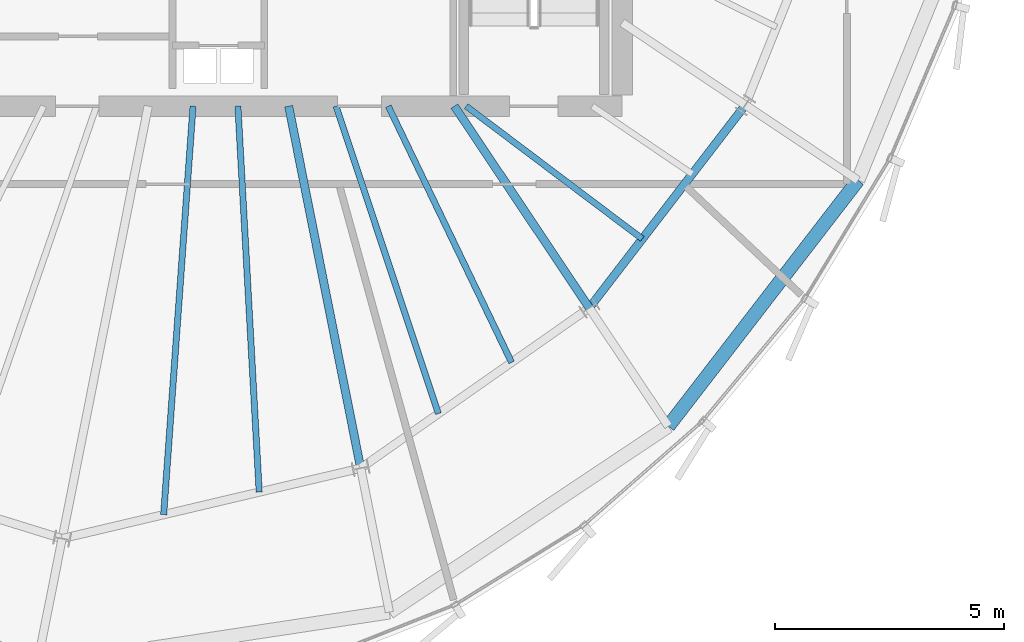
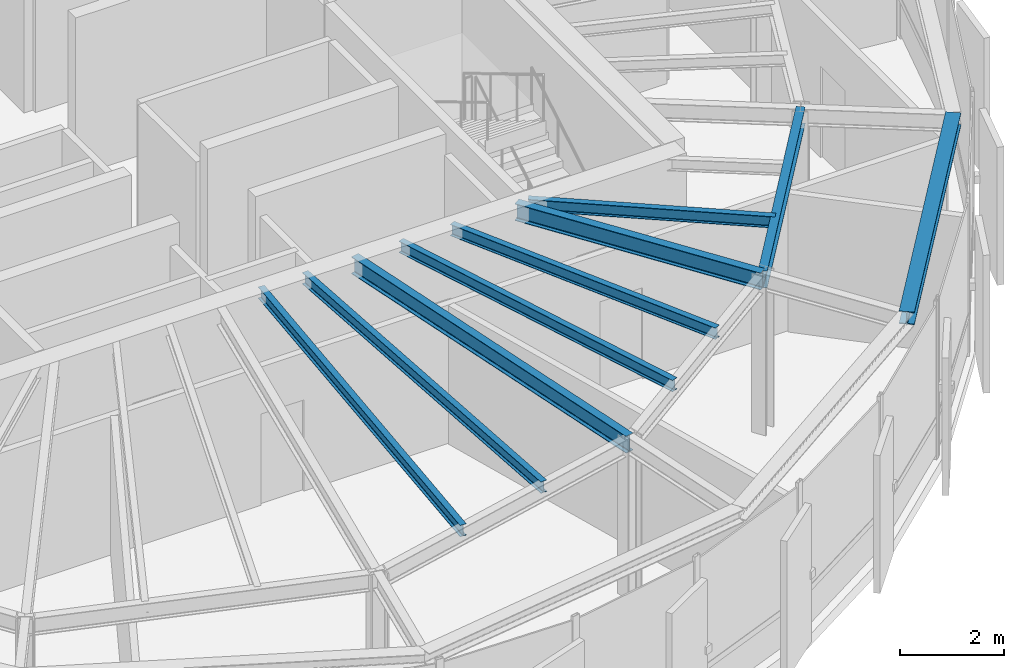
# One storey, part 8 of 26: 9 beams.
"""IFC4 building model written with IfcOpenShell, lengths in metres."""

from ifc_helpers import new_model, si_unit, direction, frame, origin, origin_2d, place, context, subcontext, project, spatial, i_section, extrude, source, transform, mapped, material, material_profile, profile_set, type_object, element, save


model = new_model("IFC4")

# Units and contexts
model_context = context("Model", 3, precision=1e-05, world=origin(), true_north=direction((0.0, 1.0)))
body_context = subcontext(model_context, "Body", "Model", "MODEL_VIEW")
ifc_project = project(units=[si_unit("LENGTHUNIT", "METRE"), si_unit("AREAUNIT", "SQUARE_METRE"), si_unit("VOLUMEUNIT", "CUBIC_METRE"), si_unit("PLANEANGLEUNIT", "RADIAN"), si_unit("MASSUNIT", "GRAM", prefix="KILO"), si_unit("THERMODYNAMICTEMPERATUREUNIT", "KELVIN")], contexts=[model_context])

# Site, building, storey
site_placement = place(None, origin())
site = spatial("IfcSite", under=ifc_project, at=site_placement, CompositionType="ELEMENT")
building_placement = place(site_placement, origin())
building = spatial("IfcBuilding", under=site, at=building_placement, Name="Kethvar Cultural Tower", CompositionType="ELEMENT")
storey_placement = place(building_placement, frame((0.0, 0.0, 320.300048828125)))
storey = spatial("IfcBuildingStorey", under=building, at=storey_placement, Name="L85", CompositionType="ELEMENT", Elevation=320.300048828125)

# Beams
ifc_material = material(Name="Steel S355J2", Category="steel")
ifc_material_profile_1 = material_profile(ifc_material, i_section(OverallWidth=0.135009765625, OverallDepth=0.27001953125, WebThickness=0.006591796875, FlangeThickness=0.01025390625, FilletRadius=0.014892578125, at=origin_2d()), Name="Steel S355J2 — IPE270")
ifc_profile_set_1 = profile_set([ifc_material_profile_1], Name="Steel S355J2 — IPE270")
beam_type_1 = type_object("IfcBeamType", Name="BM-J270", PredefinedType="JOIST", material=ifc_profile_set_1)
shared_shape_1 = source(origin(), body_context, "Body", "SweptSolid", [
    extrude(i_section(OverallWidth=0.135009765625, OverallDepth=0.27001953125, WebThickness=0.006591796875, FlangeThickness=0.01025390625, FilletRadius=0.014892578125, at=origin_2d()), origin(), (0.0, 0.0, 1.0), 8.9296875),
])
beam_1_placement = place(storey_placement, frame((46.246337890625, 20.10009765625, 3.597900390625), z_axis=(-0.071713352262, -0.99742528297, 0.0), x_axis=(0.99742528297, -0.071713352262, 0.0)))
element("IfcBeam", 1, at=beam_1_placement, inside=storey, type_object=beam_type_1, Name="L85 Composite Floor Joist J-12A", PredefinedType="JOIST", context=body_context, shape_type="MappedRepresentation", body=[
    mapped(shared_shape_1, transform((0.0, 0.0, 0.0), scale=1.0)),
])
shared_shape_2 = source(origin(), body_context, "Body", "SweptSolid", [
    extrude(i_section(OverallWidth=0.135009765625, OverallDepth=0.27001953125, WebThickness=0.006591796875, FlangeThickness=0.01025390625, FilletRadius=0.014892578125, at=origin_2d()), origin(), (0.0, 0.0, 1.0), 8.427978515625),
])
beam_2_placement = place(storey_placement, frame((47.224609375, 20.10009765625, 3.597900390625), z_axis=(0.055067321535, -0.998482643865, 0.0), x_axis=(0.998482643865, 0.055067321535, 0.0)))
element("IfcBeam", 2, at=beam_2_placement, inside=storey, type_object=beam_type_1, Name="L85 Composite Floor Joist J-12B", PredefinedType="JOIST", context=body_context, shape_type="MappedRepresentation", body=[
    mapped(shared_shape_2, transform((0.0, 0.0, 0.0), scale=1.0)),
])
shared_shape_3 = source(origin(), body_context, "Body", "SweptSolid", [
    extrude(i_section(OverallWidth=0.135009765625, OverallDepth=0.27001953125, WebThickness=0.006591796875, FlangeThickness=0.01025390625, FilletRadius=0.014892578125, at=origin_2d()), origin(), (0.0, 0.0, 1.0), 7.0673828125),
])
beam_3_placement = place(storey_placement, frame((49.363525390625, 20.10009765625, 3.597900390625), z_axis=(0.315875389768, -0.948800684095, 0.0), x_axis=(0.948800684095, 0.315875389768, 0.0)))
element("IfcBeam", 3, at=beam_3_placement, inside=storey, type_object=beam_type_1, Name="L85 Composite Floor Joist J-13A", PredefinedType="JOIST", context=body_context, shape_type="MappedRepresentation", body=[
    mapped(shared_shape_3, transform((0.0, 0.0, 0.0), scale=1.0)),
])
shared_shape_4 = source(origin(), body_context, "Body", "SweptSolid", [
    extrude(i_section(OverallWidth=0.135009765625, OverallDepth=0.27001953125, WebThickness=0.006591796875, FlangeThickness=0.01025390625, FilletRadius=0.014892578125, at=origin_2d()), origin(), (0.0, 0.0, 1.0), 6.2001953125),
])
beam_4_placement = place(storey_placement, frame((50.50341796875, 20.10009765625, 3.597900390625), z_axis=(0.433410678328, -0.901196529017, 0.0), x_axis=(0.901196529017, 0.433410678328, 0.0)))
element("IfcBeam", 4, at=beam_4_placement, inside=storey, type_object=beam_type_1, Name="L85 Composite Floor Joist J-13B", PredefinedType="JOIST", context=body_context, shape_type="MappedRepresentation", body=[
    mapped(shared_shape_4, transform((0.0, 0.0, 0.0), scale=1.0)),
])
shared_shape_5 = source(origin(), body_context, "Body", "SweptSolid", [
    extrude(i_section(OverallWidth=0.135009765625, OverallDepth=0.27001953125, WebThickness=0.006591796875, FlangeThickness=0.01025390625, FilletRadius=0.014892578125, at=origin_2d()), origin(), (0.0, 0.0, 1.0), 4.810791015625),
])
beam_5_placement = place(storey_placement, frame((52.199951171875, 20.10009765625, 3.597900390625), z_axis=(0.798542152732, -0.601938892505, 0.0), x_axis=(0.601938892505, 0.798542152732, 0.0)))
element("IfcBeam", 5, at=beam_5_placement, inside=storey, type_object=beam_type_1, Name="L85 Composite Floor Joist J-14A", PredefinedType="JOIST", context=body_context, shape_type="MappedRepresentation", body=[
    mapped(shared_shape_5, transform((0.0, 0.0, 0.0), scale=1.0)),
])
ifc_material_profile_2 = material_profile(ifc_material, i_section(OverallWidth=0.179931640625, OverallDepth=0.39990234375, WebThickness=0.008544921875, FlangeThickness=0.013427734375, FilletRadius=0.02099609375, at=origin_2d()), Name="Steel S355J2 — IPE400")
ifc_profile_set_2 = profile_set([ifc_material_profile_2], Name="Steel S355J2 — IPE400")
beam_type_2 = type_object("IfcBeamType", Name="BM-IPE400", PredefinedType="BEAM", material=ifc_profile_set_2)
shared_shape_6 = source(origin(), body_context, "Body", "SweptSolid", [
    extrude(i_section(OverallWidth=0.179931640625, OverallDepth=0.39990234375, WebThickness=0.008544921875, FlangeThickness=0.013427734375, FilletRadius=0.02099609375, at=origin_2d()), origin(), (0.0, 0.0, 1.0), 8.0478515625),
])
beam_6_placement = place(storey_placement, frame((48.33154296875, 20.10009765625, 3.532958984375), z_axis=(0.195089278796, -0.980785487912, 0.0), x_axis=(0.980785487912, 0.195089278796, 0.0)))
element("IfcBeam", 6, at=beam_6_placement, inside=storey, type_object=beam_type_2, Name="L85 Primary Radial Beam RB-13", PredefinedType="BEAM", context=body_context, shape_type="MappedRepresentation", body=[
    mapped(shared_shape_6, transform((0.0, 0.0, 0.0), scale=1.0)),
])
shared_shape_7 = source(origin(), body_context, "Body", "SweptSolid", [
    extrude(i_section(OverallWidth=0.179931640625, OverallDepth=0.39990234375, WebThickness=0.008544921875, FlangeThickness=0.013427734375, FilletRadius=0.02099609375, at=origin_2d()), origin(), (0.0, 0.0, 1.0), 5.291748046875),
])
beam_7_placement = place(storey_placement, frame((51.945068359375, 20.10009765625, 3.532958984375), z_axis=(0.555572931011, -0.831467809556, 0.0), x_axis=(0.831467809556, 0.555572931011, 0.0)))
element("IfcBeam", 7, at=beam_7_placement, inside=storey, type_object=beam_type_2, Name="L85 Primary Radial Beam RB-14", PredefinedType="BEAM", context=body_context, shape_type="MappedRepresentation", body=[
    mapped(shared_shape_7, transform((0.0, 0.0, 0.0), scale=1.0)),
])
shared_shape_8 = source(origin(), body_context, "Body", "SweptSolid", [
    extrude(i_section(OverallWidth=0.179931640625, OverallDepth=0.39990234375, WebThickness=0.008544921875, FlangeThickness=0.013427734375, FilletRadius=0.02099609375, at=origin_2d()), origin(), (0.0, 0.0, 1.0), 5.5810546875),
])
beam_8_placement = place(storey_placement, frame((54.885009765625, 15.7001953125, 3.532958984375), z_axis=(0.60957334008, 0.79272967843, 0.0), x_axis=(-0.79272967843, 0.60957334008, 0.0)))
element("IfcBeam", 8, at=beam_8_placement, inside=storey, type_object=beam_type_2, Name="L85 Column Ring Tie Beam CR-14", PredefinedType="BEAM", context=body_context, shape_type="MappedRepresentation", body=[
    mapped(shared_shape_8, transform((0.0, 0.0, 0.0), scale=1.0)),
])
ifc_material_profile_3 = material_profile(ifc_material, i_section(OverallWidth=0.300048828125, OverallDepth=0.300048828125, WebThickness=0.010986328125, FlangeThickness=0.01904296875, FilletRadius=0.027099609375, at=origin_2d()), Name="Steel S355J2 — HEB300")
ifc_profile_set_3 = profile_set([ifc_material_profile_3], Name="Steel S355J2 — HEB300")
beam_type_3 = type_object("IfcBeamType", Name="BM-SP300", PredefinedType="SPANDREL", material=ifc_profile_set_3)
shared_shape_9 = source(origin(), body_context, "Body", "SweptSolid", [
    extrude(i_section(OverallWidth=0.300048828125, OverallDepth=0.300048828125, WebThickness=0.010986328125, FlangeThickness=0.01904296875, FilletRadius=0.027099609375, at=origin_2d()), origin(), (0.0, 0.0, 1.0), 6.771240234375),
])
beam_9_placement = place(storey_placement, frame((56.608154296875, 13.12109375, 3.5830078125), z_axis=(0.610630360121, 0.791915755178, 0.0), x_axis=(-0.791915755178, 0.610630360121, 0.0)))
element("IfcBeam", 9, at=beam_9_placement, inside=storey, type_object=beam_type_3, Name="L85 Perimeter Spandrel Beam SP-14", PredefinedType="SPANDREL", context=body_context, shape_type="MappedRepresentation", body=[
    mapped(shared_shape_9, transform((0.0, 0.0, 0.0), scale=1.0)),
])

save(model, "model.ifc")
